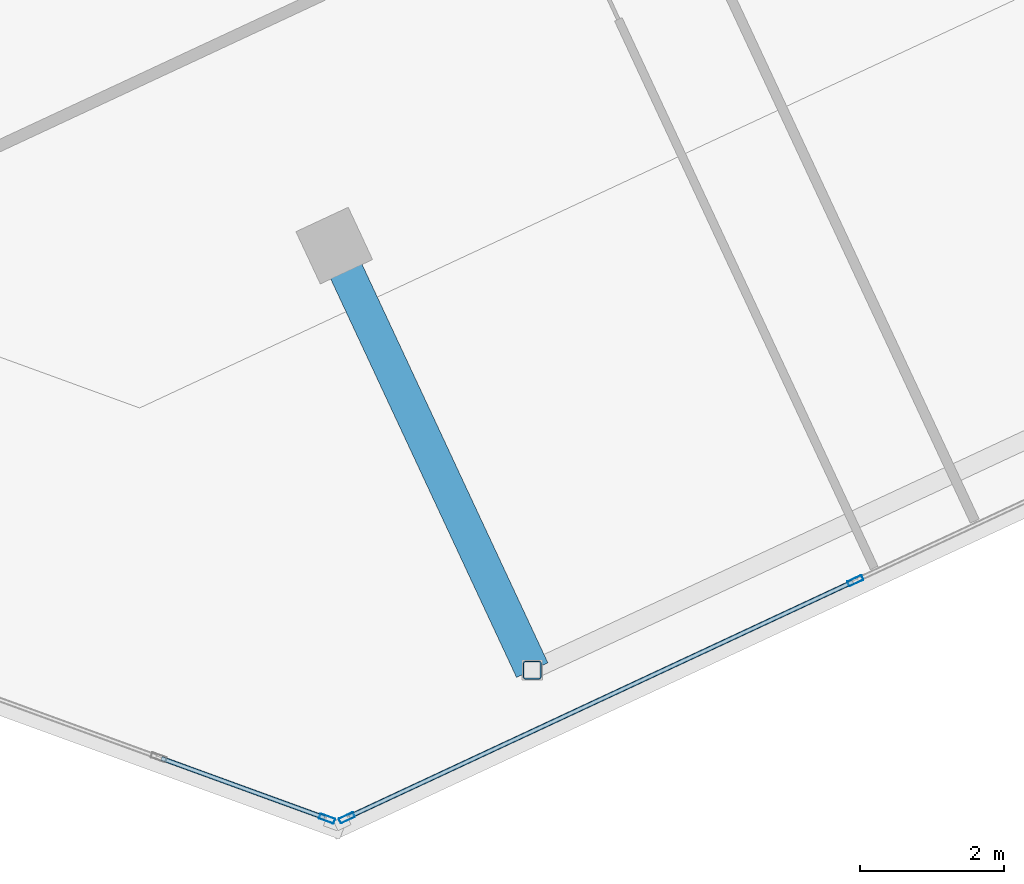
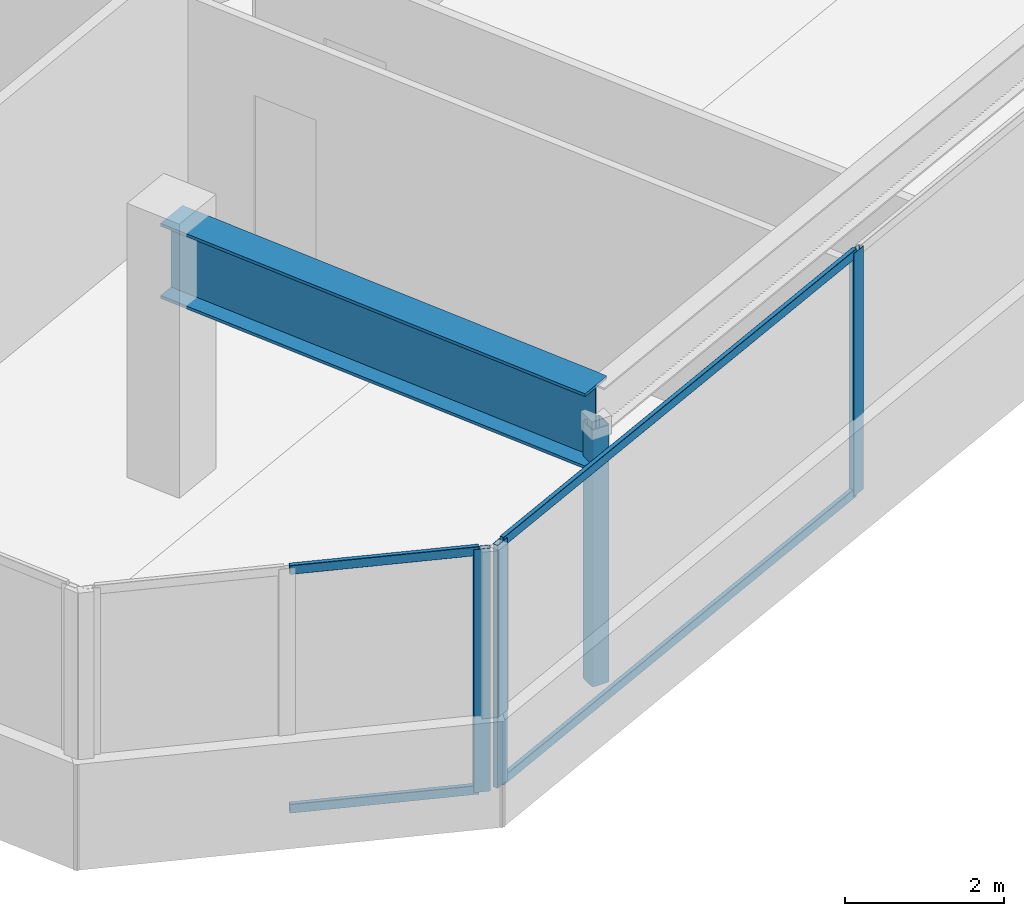
# One storey, part 3 of 17: 8 members, 1 beam, 2 elements without a shape of their own.
"""IFC4 building model written with IfcOpenShell, lengths in metres."""

from ifc_helpers import new_model, si_unit, direction, frame, origin, origin_2d, place, context, subcontext, project, spatial, hollow_rectangle, i_section, extrude, source, transform, mapped, material, material_profile, profile_set, type_object, element, aggregate, save


model = new_model("IFC4")

# Units and contexts
model_context = context("Model", 3, precision=1e-05, world=origin(), true_north=direction((0.0, 1.0)))
body_context = subcontext(model_context, "Body", "Model", "MODEL_VIEW")
ifc_project = project(units=[si_unit("LENGTHUNIT", "METRE"), si_unit("AREAUNIT", "SQUARE_METRE"), si_unit("VOLUMEUNIT", "CUBIC_METRE"), si_unit("PLANEANGLEUNIT", "RADIAN"), si_unit("MASSUNIT", "GRAM", prefix="KILO")], contexts=[model_context])

# Site, building, storey
site_placement = place(None, origin())
site = spatial("IfcSite", under=ifc_project, at=site_placement, CompositionType="ELEMENT")
building_placement = place(site_placement, origin())
building = spatial("IfcBuilding", under=site, at=building_placement, Name="Torre Montelarca", CompositionType="ELEMENT")
storey_placement = place(building_placement, frame((0.0, 0.0, 340.800048828125)))
storey = spatial("IfcBuildingStorey", under=building, at=storey_placement, Name="L77", CompositionType="ELEMENT", Elevation=340.800048828125)

# Beam
ifc_material_1 = material(Name="Steel ASTM A572 Grade 50", Category="steel")
ifc_material_profile_1 = material_profile(ifc_material_1, i_section(OverallWidth=0.47998046875, OverallDepth=1.14990234375, WebThickness=0.02197265625, FlangeThickness=0.044921875, at=origin_2d()), Name="PG1150X480X22X45", Category="steel")
ifc_profile_set_1 = profile_set([ifc_material_profile_1], Name="Steel ASTM A572 Grade 50")
beam_type = type_object("IfcBeamType", Name="BM-CG-PG1400-EXT", PredefinedType="USERDEFINED", material=ifc_profile_set_1)
shared_shape_1 = source(origin(), body_context, "Body", "SweptSolid", [
    extrude(i_section(OverallWidth=0.47998046875, OverallDepth=1.14990234375, WebThickness=0.02197265625, FlangeThickness=0.044921875, at=origin_2d()), origin(), (0.0, 0.0, 1.0), 6.5),
])
beam_placement = place(storey_placement, frame((20.37744140625, 15.4775390625, 3.385009765625), z_axis=(0.422632531286, -0.906301132901, 0.0), x_axis=(0.906301132901, 0.422632531286, 0.0)))
element("IfcBeam", 1, at=beam_placement, inside=storey, type_object=beam_type, Name="L77 Sliding Tray Cantilever Girder East Y=24m (FLR)", ObjectType="CANTILEVER GIRDER", PredefinedType="USERDEFINED", context=body_context, shape_type="MappedRepresentation", body=[
    mapped(shared_shape_1, transform((0.0, 0.0, 0.0), scale=1.0)),
])

# Member
ifc_material_2 = material(Name="Steel ASTM A500 Grade C", Category="steel")
ifc_material_profile_2 = material_profile(ifc_material_2, hollow_rectangle(XDim=0.25390625, YDim=0.25390625, WallThickness=0.015869140625, InnerFilletRadius=0.015869140625, OuterFilletRadius=0.03173828125, at=origin_2d()), Name="HSS254X254X15.9", Category="steel")
ifc_profile_set_2 = profile_set([ifc_material_profile_2], Name="Steel ASTM A500 Grade C")
member_type_1 = type_object("IfcMemberType", Name="MB-ST-HSS254-EXT", PredefinedType="STRUT", material=ifc_profile_set_2)
shared_shape_2 = source(origin(), body_context, "Body", "SweptSolid", [
    extrude(hollow_rectangle(XDim=0.25390625, YDim=0.25390625, WallThickness=0.015869140625, InnerFilletRadius=0.015869140625, OuterFilletRadius=0.03173828125, at=origin_2d()), origin(), (0.0, 0.0, 1.0), 3.93505859375),
])
member_1_placement = place(storey_placement, frame((23.12451171875, 9.586669921875, -0.550048828125), z_axis=(0.0, 0.0, 1.0), x_axis=(1.0, 0.0, 0.0)))
element("IfcMember", 2, at=member_1_placement, inside=storey, type_object=member_type_1, Name="L77 Sky-Lounge Cantilever Truss Vertical Strut Y=24m", PredefinedType="STRUT", context=body_context, shape_type="MappedRepresentation", body=[
    mapped(shared_shape_2, transform((0.0, 0.0, 0.0), scale=1.0)),
])

# Curtain wall, member
ifc_material_3 = material(Name="Insulated low-E laminated glass", Category="glass")
curtain_wall_type = type_object("IfcCurtainWallType", Name="CW-SYS-Z4", PredefinedType="USERDEFINED", material=ifc_material_3)
curtain_wall_1_placement = place(storey_placement, origin())
curtain_wall_1 = element("IfcCurtainWall", 3, at=curtain_wall_1_placement, inside=storey, type_object=curtain_wall_type, Name="L77 Curtain Wall Run CW-T3-L77-E05-B1", ObjectType="UNITISED GLAZING", PredefinedType="USERDEFINED")
ifc_material_4 = material(Name="Anodised aluminium AA 6063-T6", Category="aluminium")
ifc_material_profile_3 = material_profile(ifc_material_4, hollow_rectangle(XDim=0.074951171875, YDim=0.219970703125, WallThickness=0.0048828125, InnerFilletRadius=0.0048828125, OuterFilletRadius=0.010009765625, at=origin_2d()), Name="ALU75X220X5", Category="aluminium")
ifc_profile_set_3 = profile_set([ifc_material_profile_3], Name="Anodised aluminium AA 6063-T6")
member_type_2 = type_object("IfcMemberType", Name="CWM-ALU220", PredefinedType="MULLION", material=ifc_profile_set_3)
shared_shape_3 = source(origin(), body_context, "Body", "SweptSolid", [
    extrude(hollow_rectangle(XDim=0.074951171875, YDim=0.219970703125, WallThickness=0.0048828125, InnerFilletRadius=0.0048828125, OuterFilletRadius=0.010009765625, at=origin_2d()), origin(), (0.0, 0.0, 1.0), 3.719970703125),
])
member_2_placement = place(storey_placement, frame((20.27685546875, 7.525634765625, 0.0), z_axis=(0.0, 0.0, 1.0), x_axis=(0.342015350618, 0.939694365175, 0.0)))
member_2 = element("IfcMember", 4, at=member_2_placement, type_object=member_type_2, Name="CW mullion 3", PredefinedType="MULLION", context=body_context, shape_type="MappedRepresentation", body=[
    mapped(shared_shape_3, transform((0.0, 0.0, 0.0), scale=1.0)),
])

# Curtain wall, members
curtain_wall_2_placement = place(storey_placement, origin())
curtain_wall_2 = element("IfcCurtainWall", 5, at=curtain_wall_2_placement, inside=storey, type_object=curtain_wall_type, Name="L77 Curtain Wall Run CW-T3-L77-E06-B1", ObjectType="UNITISED GLAZING", PredefinedType="USERDEFINED")
member_3_placement = place(storey_placement, frame((20.552734375, 7.537841796875, 0.0), z_axis=(0.0, 0.0, 1.0), x_axis=(-0.422612053903, 0.906310681773, 0.0)))
member_3 = element("IfcMember", 6, at=member_3_placement, type_object=member_type_2, Name="CW mullion 1", PredefinedType="MULLION", context=body_context, shape_type="MappedRepresentation", body=[
    mapped(shared_shape_3, transform((0.0, 0.0, 0.0), scale=1.0)),
])
member_4_placement = place(storey_placement, frame((27.608642578125, 10.827880859375, 0.0), z_axis=(0.0, 0.0, 1.0), x_axis=(-0.422612053903, 0.906310681773, 0.0)))
member_4 = element("IfcMember", 7, at=member_4_placement, type_object=member_type_2, Name="CW mullion 2", PredefinedType="MULLION", context=body_context, shape_type="MappedRepresentation", body=[
    mapped(shared_shape_3, transform((0.0, 0.0, 0.0), scale=1.0)),
])

# Member
ifc_material_profile_4 = material_profile(ifc_material_4, hollow_rectangle(XDim=0.06494140625, YDim=0.139892578125, WallThickness=0.00390625, InnerFilletRadius=0.00390625, OuterFilletRadius=0.008056640625, at=origin_2d()), Name="ALU65X140X4", Category="aluminium")
ifc_profile_set_4 = profile_set([ifc_material_profile_4], Name="Anodised aluminium AA 6063-T6")
member_type_3 = type_object("IfcMemberType", Name="CWT-ALU140", PredefinedType="USERDEFINED", material=ifc_profile_set_4)
shared_shape_4 = source(origin(), body_context, "Body", "SweptSolid", [
    extrude(hollow_rectangle(XDim=0.06494140625, YDim=0.139892578125, WallThickness=0.00390625, InnerFilletRadius=0.00390625, OuterFilletRadius=0.008056640625, at=origin_2d()), origin(), (0.0, 0.0, 1.0), 2.408447265625),
])
member_5_placement = place(storey_placement, frame((17.978271484375, 8.3623046875, 0.032470703125), z_axis=(0.939692753438, -0.342019778867, 0.0), x_axis=(0.342019778867, 0.939692753438, 0.0)))
member_5 = element("IfcMember", 8, at=member_5_placement, type_object=member_type_3, Name="CW transom 2.1", ObjectType="TRANSOM", PredefinedType="USERDEFINED", context=body_context, shape_type="MappedRepresentation", body=[
    mapped(shared_shape_4, transform((0.0, 0.0, 0.0), scale=1.0)),
])

member_6_placement = place(storey_placement, frame((17.978271484375, 8.3623046875, 3.6875), z_axis=(0.939692753438, -0.342019778867, 0.0), x_axis=(0.342019778867, 0.939692753438, 0.0)))
member_6 = element("IfcMember", 9, at=member_6_placement, type_object=member_type_3, Name="CW transom 2.2", ObjectType="TRANSOM", PredefinedType="USERDEFINED", context=body_context, shape_type="MappedRepresentation", body=[
    mapped(shared_shape_4, transform((0.0, 0.0, 0.0), scale=1.0)),
])

aggregate(curtain_wall_1, [member_2, member_5, member_6])

shared_shape_5 = source(origin(), body_context, "Body", "SweptSolid", [
    extrude(hollow_rectangle(XDim=0.06494140625, YDim=0.139892578125, WallThickness=0.00390625, InnerFilletRadius=0.00390625, OuterFilletRadius=0.008056640625, at=origin_2d()), origin(), (0.0, 0.0, 1.0), 7.71044921875),
])
member_7_placement = place(storey_placement, frame((20.586669921875, 7.5537109375, 0.032470703125), z_axis=(0.906309292094, 0.422615034119, 0.0), x_axis=(-0.422615034119, 0.906309292094, 0.0)))
member_7 = element("IfcMember", 10, at=member_7_placement, type_object=member_type_3, Name="CW transom 1.1", ObjectType="TRANSOM", PredefinedType="USERDEFINED", context=body_context, shape_type="MappedRepresentation", body=[
    mapped(shared_shape_5, transform((0.0, 0.0, 0.0), scale=1.0)),
])

member_8_placement = place(storey_placement, frame((20.586669921875, 7.5537109375, 3.6875), z_axis=(0.906309292094, 0.422615034119, 0.0), x_axis=(-0.422615034119, 0.906309292094, 0.0)))
member_8 = element("IfcMember", 11, at=member_8_placement, type_object=member_type_3, Name="CW transom 1.2", ObjectType="TRANSOM", PredefinedType="USERDEFINED", context=body_context, shape_type="MappedRepresentation", body=[
    mapped(shared_shape_5, transform((0.0, 0.0, 0.0), scale=1.0)),
])

aggregate(curtain_wall_2, [member_3, member_4, member_7, member_8])

save(model, "model.ifc")
